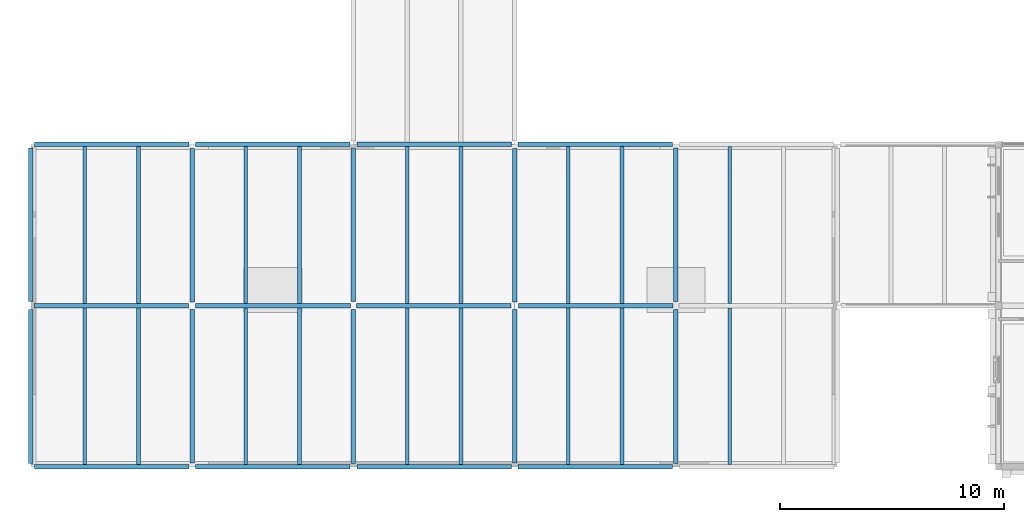
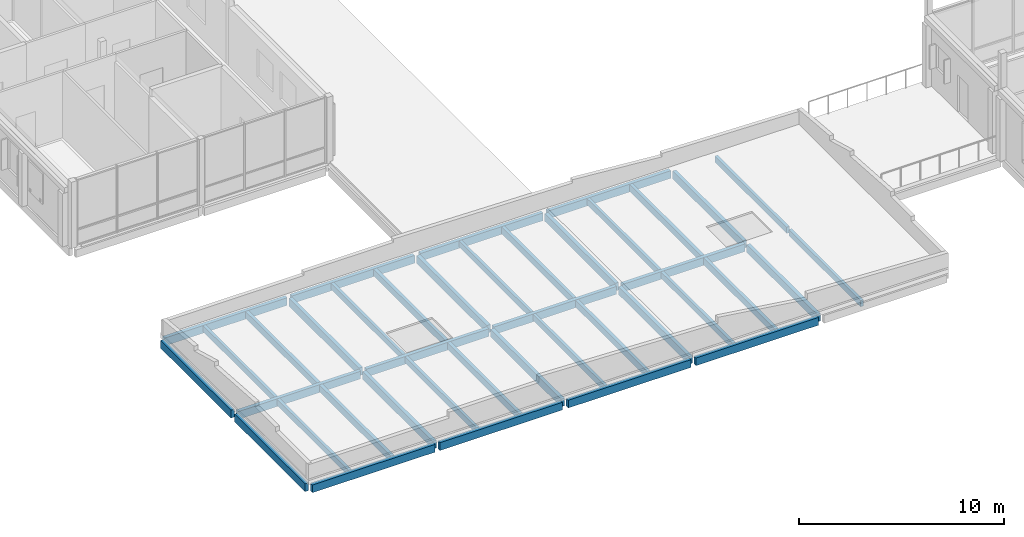
# One storey, part 3 of 57: 40 beams.
"""IFC4 building model written with IfcOpenShell, lengths in metres."""

from ifc_helpers import new_model, si_unit, direction, frame, origin, origin_2d, place, context, subcontext, project, spatial, rectangle, extrude, material, material_profile, profile_set, type_object, element, save


model = new_model("IFC4")

# Units and contexts
model_context = context("Model", 3, precision=1e-05, world=origin(), true_north=direction((0.0, 1.0)))
body_context = subcontext(model_context, "Body", "Model", "MODEL_VIEW")
ifc_project = project(units=[si_unit("LENGTHUNIT", "METRE"), si_unit("AREAUNIT", "SQUARE_METRE"), si_unit("VOLUMEUNIT", "CUBIC_METRE"), si_unit("PLANEANGLEUNIT", "RADIAN"), si_unit("MASSUNIT", "GRAM", prefix="KILO")], contexts=[model_context])

# Site, building, storey
site_placement = place(None, origin())
site = spatial("IfcSite", under=ifc_project, at=site_placement, CompositionType="ELEMENT")
building_placement = place(site_placement, origin())
building = spatial("IfcBuilding", under=site, at=building_placement, Name="Hawrajan Terrace Health Centre", CompositionType="ELEMENT")
storey_placement = place(building_placement, frame((0.0, 0.0, 13.199951171875)))
storey = spatial("IfcBuildingStorey", under=building, at=storey_placement, Name="L03", CompositionType="ELEMENT", Elevation=13.199951171875)

# Beams
ifc_material_1 = material(Name="Glulam GL28h", Category="wood")
ifc_material_profile_1 = material_profile(ifc_material_1, rectangle(XDim=0.159912109375, YDim=0.360107421875, at=origin_2d()), Name="GL JST 160x360")
ifc_profile_set_1 = profile_set([ifc_material_profile_1], Name="Glulam GL28h")
beam_type_1 = type_object("IfcBeamType", Name="GlulamJoist_160x360", PredefinedType="JOIST", material=ifc_profile_set_1)
for number, where, z_axis, x_axis, name in (
    (1, (7.0, 4.300048828125, -0.429931640625), (0.0, 1.0, 0.0), (-1.0, 0.0, 0.0), "Secondary joist JST-L03-W-01-1-1"),
    (2, (7.0, 11.5, -0.429931640625), (0.0, 1.0, 0.0), (-1.0, 0.0, 0.0), "Secondary joist JST-L03-W-01-2-1"),
    (3, (14.199951171875, 4.300048828125, -0.429931640625), (0.0, 1.0, 0.0), (-1.0, 0.0, 0.0), "Secondary joist JST-L03-W-02-1-1"),
    (4, (14.199951171875, 11.5, -0.429931640625), (0.0, 1.0, 0.0), (-1.0, 0.0, 0.0), "Secondary joist JST-L03-W-02-2-1"),
    (5, (21.39990234375, 4.300048828125, -0.429931640625), (0.0, 1.0, 0.0), (-1.0, 0.0, 0.0), "Secondary joist JST-L03-W-03-1-1"),
    (6, (21.39990234375, 11.5, -0.429931640625), (0.0, 1.0, 0.0), (-1.0, 0.0, 0.0), "Secondary joist JST-L03-W-03-2-1"),
    (7, (28.60009765625, 4.300048828125, -0.429931640625), (0.0, 1.0, 0.0), (-1.0, 0.0, 0.0), "Secondary joist JST-L03-W-04-1-1"),
    (8, (28.60009765625, 11.5, -0.429931640625), (0.0, 1.0, 0.0), (-1.0, 0.0, 0.0), "Secondary joist JST-L03-W-04-2-1"),
    (9, (35.800048828125, 4.300048828125, -0.429931640625), (0.0, 1.0, 0.0), (-1.0, 0.0, 0.0), "Secondary joist JST-L03-W-05-1-1"),
    (10, (35.800048828125, 11.5, -0.429931640625), (0.0, 1.0, 0.0), (-1.0, 0.0, 0.0), "Secondary joist JST-L03-W-05-2-1"),
):
    element("IfcBeam", number, at=place(storey_placement, frame(where, z_axis=z_axis, x_axis=x_axis)), inside=storey, type_object=beam_type_1, Name=name, PredefinedType="JOIST", context=body_context, shape_type="SweptSolid", body=[
        extrude(rectangle(XDim=0.159912109375, YDim=0.360107421875, at=origin_2d()), origin(), (0.0, 0.0, 1.0), 7.0),
    ])
ifc_material_profile_2 = material_profile(ifc_material_1, rectangle(XDim=0.179931640625, YDim=0.39990234375, at=origin_2d()), Name="GL JST 180x400")
ifc_profile_set_2 = profile_set([ifc_material_profile_2], Name="Glulam GL28h")
beam_type_2 = type_object("IfcBeamType", Name="GlulamJoist_180x400", PredefinedType="JOIST", material=ifc_profile_set_2)
for number, where, z_axis, x_axis, name in (
    (11, (9.39990234375, 4.300048828125, -0.449951171875), (0.0, 1.0, 0.0), (-1.0, 0.0, 0.0), "Secondary joist JST-L03-W-01-1-2"),
    (12, (9.39990234375, 11.5, -0.449951171875), (0.0, 1.0, 0.0), (-1.0, 0.0, 0.0), "Secondary joist JST-L03-W-01-2-2"),
    (13, (16.60009765625, 4.300048828125, -0.449951171875), (0.0, 1.0, 0.0), (-1.0, 0.0, 0.0), "Secondary joist JST-L03-W-02-1-2"),
    (14, (16.60009765625, 11.5, -0.449951171875), (0.0, 1.0, 0.0), (-1.0, 0.0, 0.0), "Secondary joist JST-L03-W-02-2-2"),
    (15, (23.800048828125, 4.300048828125, -0.449951171875), (0.0, 1.0, 0.0), (-1.0, 0.0, 0.0), "Secondary joist JST-L03-W-03-1-2"),
    (16, (23.800048828125, 11.5, -0.449951171875), (0.0, 1.0, 0.0), (-1.0, 0.0, 0.0), "Secondary joist JST-L03-W-03-2-2"),
    (17, (31.0, 4.300048828125, -0.449951171875), (0.0, 1.0, 0.0), (-1.0, 0.0, 0.0), "Secondary joist JST-L03-W-04-1-2"),
    (18, (31.0, 11.5, -0.449951171875), (0.0, 1.0, 0.0), (-1.0, 0.0, 0.0), "Secondary joist JST-L03-W-04-2-2"),
):
    element("IfcBeam", number, at=place(storey_placement, frame(where, z_axis=z_axis, x_axis=x_axis)), inside=storey, type_object=beam_type_2, Name=name, PredefinedType="JOIST", context=body_context, shape_type="SweptSolid", body=[
        extrude(rectangle(XDim=0.179931640625, YDim=0.39990234375, at=origin_2d()), origin(), (0.0, 0.0, 1.0), 7.0),
    ])
ifc_material_2 = material(Name="Glulam GL32h", Category="wood")
ifc_material_profile_3 = material_profile(ifc_material_2, rectangle(XDim=0.199951171875, YDim=0.4599609375, at=origin_2d()), Name="GL SP 200x460")
ifc_profile_set_3 = profile_set([ifc_material_profile_3], Name="Glulam GL32h")
beam_type_3 = type_object("IfcBeamType", Name="GlulamSpandrel_200x460", PredefinedType="SPANDREL", material=ifc_profile_set_3)
for number, where, z_axis, x_axis, name in (
    (19, (4.760009765625, 4.199951171875, -0.47998046875), (1.0, 0.0, 0.0), (0.0, 1.0, 0.0), "Beam BM-X-L03-W-01-Y1"),
    (20, (4.739990234375, 11.39990234375, -0.47998046875), (1.0, 0.0, 0.0), (0.0, 1.0, 0.0), "Beam BM-X-L03-W-01-Y2"),
    (21, (4.760009765625, 18.60009765625, -0.47998046875), (1.0, 0.0, 0.0), (0.0, 1.0, 0.0), "Beam BM-X-L03-W-01-Y3"),
):
    element("IfcBeam", number, at=place(storey_placement, frame(where, z_axis=z_axis, x_axis=x_axis)), inside=storey, type_object=beam_type_3, Name=name, PredefinedType="SPANDREL", context=body_context, shape_type="SweptSolid", body=[
        extrude(rectangle(XDim=0.199951171875, YDim=0.4599609375, at=origin_2d()), origin(), (0.0, 0.0, 1.0), 6.89990234375),
    ])
for number, where, z_axis, x_axis, name in (
    (22, (11.93994140625, 4.199951171875, -0.47998046875), (1.0, 0.0, 0.0), (0.0, 1.0, 0.0), "Beam BM-X-L03-W-02-Y1"),
    (23, (11.9599609375, 11.39990234375, -0.47998046875), (1.0, 0.0, 0.0), (0.0, 1.0, 0.0), "Beam BM-X-L03-W-02-Y2"),
    (24, (11.93994140625, 18.60009765625, -0.47998046875), (1.0, 0.0, 0.0), (0.0, 1.0, 0.0), "Beam BM-X-L03-W-02-Y3"),
    (25, (19.159912109375, 4.199951171875, -0.47998046875), (1.0, 0.0, 0.0), (0.0, 1.0, 0.0), "Beam BM-X-L03-W-03-Y1"),
    (26, (19.139892578125, 11.39990234375, -0.47998046875), (1.0, 0.0, 0.0), (0.0, 1.0, 0.0), "Beam BM-X-L03-W-03-Y2"),
    (27, (19.159912109375, 18.60009765625, -0.47998046875), (1.0, 0.0, 0.0), (0.0, 1.0, 0.0), "Beam BM-X-L03-W-03-Y3"),
):
    element("IfcBeam", number, at=place(storey_placement, frame(where, z_axis=z_axis, x_axis=x_axis)), inside=storey, type_object=beam_type_3, Name=name, PredefinedType="SPANDREL", context=body_context, shape_type="SweptSolid", body=[
        extrude(rectangle(XDim=0.199951171875, YDim=0.4599609375, at=origin_2d()), origin(), (0.0, 0.0, 1.0), 6.900146484375),
    ])
for number, where, z_axis, x_axis, name in (
    (28, (26.340087890625, 4.199951171875, -0.47998046875), (1.0, 0.0, 0.0), (0.0, 1.0, 0.0), "Beam BM-X-L03-W-04-Y1"),
    (29, (26.360107421875, 11.39990234375, -0.47998046875), (1.0, 0.0, 0.0), (0.0, 1.0, 0.0), "Beam BM-X-L03-W-04-Y2"),
    (30, (26.340087890625, 18.60009765625, -0.47998046875), (1.0, 0.0, 0.0), (0.0, 1.0, 0.0), "Beam BM-X-L03-W-04-Y3"),
):
    element("IfcBeam", number, at=place(storey_placement, frame(where, z_axis=z_axis, x_axis=x_axis)), inside=storey, type_object=beam_type_3, Name=name, PredefinedType="SPANDREL", context=body_context, shape_type="SweptSolid", body=[
        extrude(rectangle(XDim=0.199951171875, YDim=0.4599609375, at=origin_2d()), origin(), (0.0, 0.0, 1.0), 6.89990234375),
    ])
for number, where, z_axis, x_axis, name in (
    (31, (4.60009765625, 4.360107421875, -0.47998046875), (0.0, 1.0, 0.0), (-1.0, 0.0, 0.0), "Beam BM-Y-L03-W-X01-1"),
    (32, (4.60009765625, 11.580078125, -0.47998046875), (0.0, 1.0, 0.0), (-1.0, 0.0, 0.0), "Beam BM-Y-L03-W-X01-2"),
):
    element("IfcBeam", number, at=place(storey_placement, frame(where, z_axis=z_axis, x_axis=x_axis)), inside=storey, type_object=beam_type_3, Name=name, PredefinedType="SPANDREL", context=body_context, shape_type="SweptSolid", body=[
        extrude(rectangle(XDim=0.199951171875, YDim=0.4599609375, at=origin_2d()), origin(), (0.0, 0.0, 1.0), 6.85986328125),
    ])
beam_1_placement = place(storey_placement, frame((11.800048828125, 4.3798828125, -0.47998046875), z_axis=(0.0, 1.0, 0.0), x_axis=(-1.0, 0.0, 0.0)))
element("IfcBeam", 33, at=beam_1_placement, inside=storey, type_object=beam_type_3, Name="Beam BM-Y-L03-W-X02-1", PredefinedType="SPANDREL", context=body_context, shape_type="SweptSolid", body=[
    extrude(rectangle(XDim=0.199951171875, YDim=0.4599609375, at=origin_2d()), origin(), (0.0, 0.0, 1.0), 6.860107421875),
])
for number, where, z_axis, x_axis, name in (
    (34, (11.800048828125, 11.56005859375, -0.47998046875), (0.0, 1.0, 0.0), (-1.0, 0.0, 0.0), "Beam BM-Y-L03-W-X02-2"),
    (35, (19.0, 4.360107421875, -0.47998046875), (0.0, 1.0, 0.0), (-1.0, 0.0, 0.0), "Beam BM-Y-L03-W-X03-1"),
    (36, (19.0, 11.580078125, -0.47998046875), (0.0, 1.0, 0.0), (-1.0, 0.0, 0.0), "Beam BM-Y-L03-W-X03-2"),
):
    element("IfcBeam", number, at=place(storey_placement, frame(where, z_axis=z_axis, x_axis=x_axis)), inside=storey, type_object=beam_type_3, Name=name, PredefinedType="SPANDREL", context=body_context, shape_type="SweptSolid", body=[
        extrude(rectangle(XDim=0.199951171875, YDim=0.4599609375, at=origin_2d()), origin(), (0.0, 0.0, 1.0), 6.85986328125),
    ])
beam_2_placement = place(storey_placement, frame((26.199951171875, 4.3798828125, -0.47998046875), z_axis=(0.0, 1.0, 0.0), x_axis=(-1.0, 0.0, 0.0)))
element("IfcBeam", 37, at=beam_2_placement, inside=storey, type_object=beam_type_3, Name="Beam BM-Y-L03-W-X04-1", PredefinedType="SPANDREL", context=body_context, shape_type="SweptSolid", body=[
    extrude(rectangle(XDim=0.199951171875, YDim=0.4599609375, at=origin_2d()), origin(), (0.0, 0.0, 1.0), 6.860107421875),
])
for number, where, z_axis, x_axis, name in (
    (38, (26.199951171875, 11.56005859375, -0.47998046875), (0.0, 1.0, 0.0), (-1.0, 0.0, 0.0), "Beam BM-Y-L03-W-X04-2"),
    (39, (33.39990234375, 4.360107421875, -0.47998046875), (0.0, 1.0, 0.0), (-1.0, 0.0, 0.0), "Beam BM-Y-L03-W-X05-1"),
    (40, (33.39990234375, 11.580078125, -0.47998046875), (0.0, 1.0, 0.0), (-1.0, 0.0, 0.0), "Beam BM-Y-L03-W-X05-2"),
):
    element("IfcBeam", number, at=place(storey_placement, frame(where, z_axis=z_axis, x_axis=x_axis)), inside=storey, type_object=beam_type_3, Name=name, PredefinedType="SPANDREL", context=body_context, shape_type="SweptSolid", body=[
        extrude(rectangle(XDim=0.199951171875, YDim=0.4599609375, at=origin_2d()), origin(), (0.0, 0.0, 1.0), 6.85986328125),
    ])

save(model, "model.ifc")
